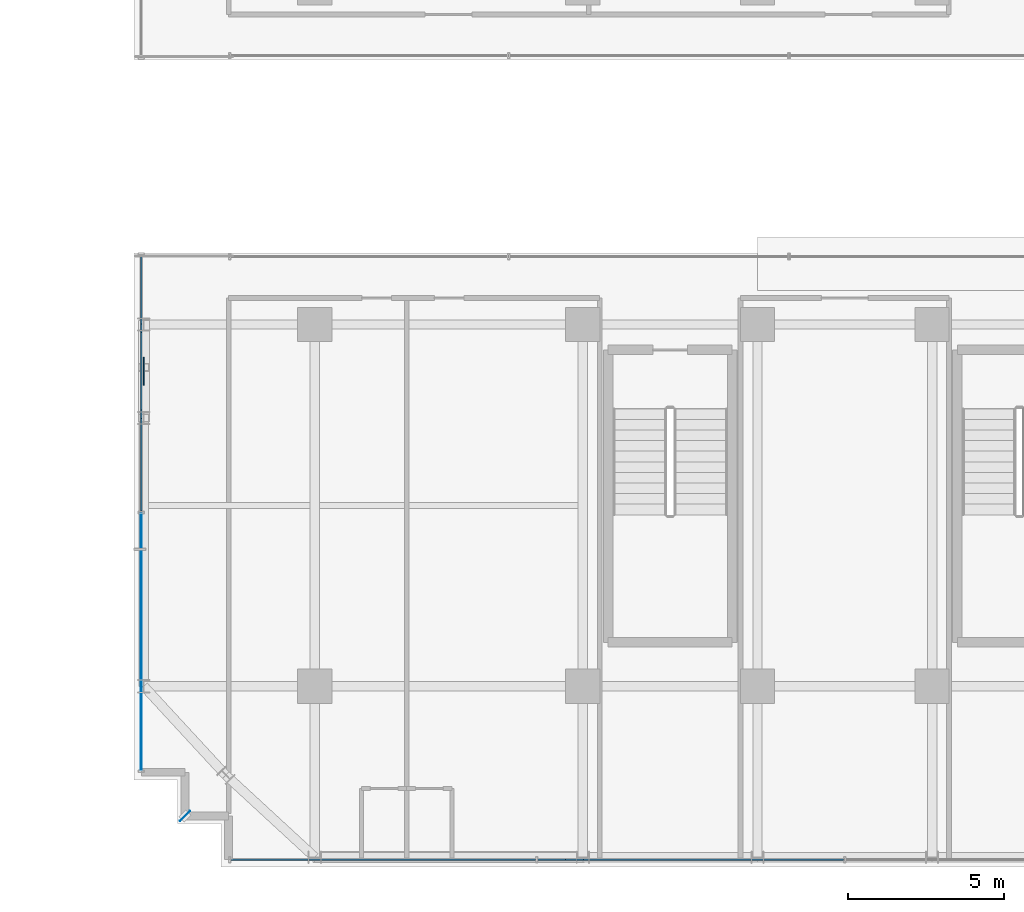
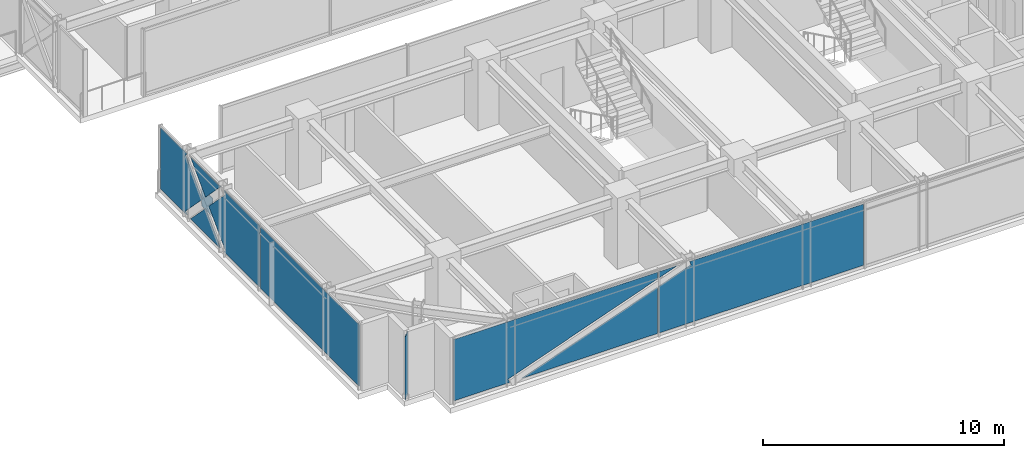
# One storey, part 30 of 43: 6 plates, 2 elements without a shape of their own.
"""IFC4 building model written with IfcOpenShell, lengths in metres."""

from ifc_helpers import new_model, si_unit, direction, frame, origin, origin_2d, place, context, subcontext, project, spatial, polyline, rectangle, outline, extrude, source, transform, mapped, material, layer, layer_set, type_object, element, aggregate, save


model = new_model("IFC4")

# Units and contexts
model_context = context("Model", 3, precision=1e-05, world=origin(), true_north=direction((0.0, 1.0)))
body_context = subcontext(model_context, "Body", "Model", "MODEL_VIEW")
ifc_project = project(units=[si_unit("LENGTHUNIT", "METRE"), si_unit("AREAUNIT", "SQUARE_METRE"), si_unit("VOLUMEUNIT", "CUBIC_METRE"), si_unit("PLANEANGLEUNIT", "RADIAN"), si_unit("MASSUNIT", "GRAM", prefix="KILO")], contexts=[model_context])

# Site, building, storey
site_placement = place(None, origin())
site = spatial("IfcSite", under=ifc_project, at=site_placement, CompositionType="ELEMENT")
building_placement = place(site_placement, origin())
building = spatial("IfcBuilding", under=site, at=building_placement, Name="Nahalor Promenade Grand Hotel", CompositionType="ELEMENT")
storey_placement = place(building_placement, frame((0.0, 0.0, 181.85009765625)))
storey = spatial("IfcBuildingStorey", under=building, at=storey_placement, Name="L46", CompositionType="ELEMENT", Elevation=181.85009765625)

# Curtain wall, plates
ifc_material_1 = material(Name="Anodised Bronze Aluminium EN AW-6063 T6", Category="aluminium")
curtain_wall_type = type_object("IfcCurtainWallType", Name="CW3 Elliptical-Void Collar Unitised Curtain Wall", PredefinedType="USERDEFINED", material=ifc_material_1)
curtain_wall_1_placement = place(storey_placement, origin())
curtain_wall_1 = element("IfcCurtainWall", 1, at=curtain_wall_1_placement, inside=storey, type_object=curtain_wall_type, Name="L46 Curtain Wall CW-L46-S-1", ObjectType="UNITISED_CURTAIN_WALL", PredefinedType="USERDEFINED")
ifc_material_2 = material(Name="Low-E Laminated Solar Glass", Category="glass")
ifc_layer_1 = layer(ifc_material_2, 0.030029296875)
ifc_layer_set_1 = layer_set([ifc_layer_1], Name="Low-E Laminated Solar Glass")
plate_type_1 = type_object("IfcPlateType", Name="CWP3 High-Wind Laminated Bronze IGU 30mm", PredefinedType="CURTAIN_PANEL", material=ifc_layer_set_1)
plate_1_placement = place(storey_placement, frame((-14.802490234375, -22.56005859375, 0.1396484375), z_axis=(0.0, 0.0, 1.0), x_axis=(1.0, 0.0, 0.0)))
plate_1 = element("IfcPlate", 2, at=plate_1_placement, type_object=plate_type_1, Name="CW-L46-S-1 Glazing Panel 0-0", PredefinedType="CURTAIN_PANEL", context=body_context, shape_type="SweptSolid", body=[
    extrude(outline(polyline([(-4.887451171875, 3.110107421875), (-4.887451171875, 0.0), (-2.220458984375, 0.0), (-2.28857421875, 0.189697265625), (4.887451171875, 2.76806640625), (4.887451171875, 3.110107421875), (-4.887451171875, 3.110107421875)])), frame((0.0, 0.01513671875, 0.0), z_axis=(0.0, -1.0, 0.0), x_axis=(1.0, 0.0, 0.0)), (0.0, 0.0, 1.0), 0.030029296875),
    extrude(outline(polyline([(-1.6337890625, 0.0), (4.887451171875, 0.0), (4.887451171875, 2.343017578125), (-1.6337890625, 0.0)])), frame((0.0, 0.01513671875, 0.0), z_axis=(0.0, -1.0, 0.0), x_axis=(1.0, 0.0, 0.0)), (0.0, 0.0, 1.0), 0.030029296875),
])
plate_2_placement = place(storey_placement, frame((-4.93994140625, -22.56005859375, 0.1396484375), z_axis=(0.0, 0.0, 1.0), x_axis=(1.0, 0.0, 0.0)))
plate_2 = element("IfcPlate", 3, at=plate_2_placement, type_object=plate_type_1, Name="CW-L46-S-1 Glazing Panel 1-0", PredefinedType="CURTAIN_PANEL", context=body_context, shape_type="SweptSolid", body=[
    extrude(outline(polyline([(4.905029296875, 0.0), (4.905029296875, 3.110107421875), (-3.43701171875, 3.110107421875), (-3.368896484375, 2.920166015625), (-4.905029296875, 2.368408203125), (-4.905029296875, 0.0), (4.905029296875, 0.0)])), frame((0.0, 0.01513671875, 0.0), z_axis=(0.0, -1.0, 0.0), x_axis=(1.0, 0.0, 0.0)), (0.0, 0.0, 1.0), 0.030029296875),
    extrude(outline(polyline([(-4.023681640625, 3.110107421875), (-4.905029296875, 3.110107421875), (-4.905029296875, 2.793212890625), (-4.023681640625, 3.110107421875)])), frame((0.0, 0.01513671875, 0.0), z_axis=(0.0, -1.0, 0.0), x_axis=(1.0, 0.0, 0.0)), (0.0, 0.0, 1.0), 0.030029296875),
])
aggregate(curtain_wall_1, [plate_1, plate_2])

# Curtain wall, plate
curtain_wall_2_placement = place(storey_placement, origin())
curtain_wall_2 = element("IfcCurtainWall", 4, at=curtain_wall_2_placement, inside=storey, type_object=curtain_wall_type, Name="L46 Curtain Wall CW-L46-W-1", ObjectType="UNITISED_CURTAIN_WALL", PredefinedType="USERDEFINED")
plate_3_placement = place(storey_placement, frame((-22.56005859375, -7.282470703125, 0.1396484375), z_axis=(0.0, 0.0, 1.0), x_axis=(0.0, 1.0, 0.0)))
plate_3 = element("IfcPlate", 5, at=plate_3_placement, type_object=plate_type_1, Name="CW-L46-W-1 Glazing Panel 1-0", PredefinedType="CURTAIN_PANEL", context=body_context, shape_type="SweptSolid", body=[
    extrude(outline(polyline([(-4.112548828125, 3.110107421875), (-4.112548828125, 0.0), (-1.14306640625, 0.0), (-1.2783203125, 0.13134765625), (0.103759765625, 1.554931640625), (-1.2783203125, 2.978515625), (-1.14306640625, 3.110107421875), (-4.112548828125, 3.110107421875)])), frame((0.0, 0.01513671875, 0.0), z_axis=(0.0, -1.0, 0.0), x_axis=(1.0, 0.0, 0.0)), (0.0, 0.0, 1.0), 0.030029296875),
    extrude(outline(polyline([(0.382568359375, 1.267822265625), (-0.848388671875, 0.0), (1.613525390625, 0.0), (0.382568359375, 1.267822265625)])), frame((0.0, 0.01513671875, 0.0), z_axis=(0.0, -1.0, 0.0), x_axis=(1.0, 0.0, 0.0)), (0.0, 0.0, 1.0), 0.030029296875),
    extrude(outline(polyline([(0.382568359375, 1.842041015625), (1.613525390625, 3.110107421875), (-0.848388671875, 3.110107421875), (0.382568359375, 1.842041015625)])), frame((0.0, 0.01513671875, 0.0), z_axis=(0.0, -1.0, 0.0), x_axis=(1.0, 0.0, 0.0)), (0.0, 0.0, 1.0), 0.030029296875),
    extrude(outline(polyline([(4.112548828125, 0.0), (4.112548828125, 3.110107421875), (1.908203125, 3.110107421875), (2.04345703125, 2.978515625), (0.661376953125, 1.554931640625), (2.04345703125, 0.13134765625), (1.908203125, 0.0), (4.112548828125, 0.0)])), frame((0.0, 0.01513671875, 0.0), z_axis=(0.0, -1.0, 0.0), x_axis=(1.0, 0.0, 0.0)), (0.0, 0.0, 1.0), 0.030029296875),
])

# Plates
ifc_material_3 = material(Name="Steel S355J2", Category="steel")
ifc_layer_2 = layer(ifc_material_3, 0.035888671875)
ifc_layer_set_2 = layer_set([ifc_layer_2], Name="Steel S355J2")
plate_type_2 = type_object("IfcPlateType", Name="Plate-CrossGusset-36", PredefinedType="USERDEFINED", material=ifc_layer_set_2)
shared_shape_1 = source(origin(), body_context, "Body", "SweptSolid", [
    extrude(rectangle(XDim=0.89990234375, YDim=0.035888671875, at=origin_2d()), origin(), (0.0, 0.0, 1.0), 0.89990234375),
])
plate_4_placement = place(storey_placement, frame((-22.47998046875, -6.89990234375, 1.244873046875), z_axis=(0.0, 0.0, 1.0), x_axis=(0.0, 1.0, 0.0)))
element("IfcPlate", 6, at=plate_4_placement, inside=storey, type_object=plate_type_2, Name="PL-L46-VXX-W0", ObjectType="GUSSET_PLATE", PredefinedType="USERDEFINED", context=body_context, shape_type="MappedRepresentation", body=[
    mapped(shared_shape_1, transform((0.0, 0.0, 0.0), scale=1.0)),
])
ifc_layer_3 = layer(ifc_material_1, 0.02001953125)
ifc_layer_set_3 = layer_set([ifc_layer_3], Name="Anodised Bronze Aluminium EN AW-6063 T6")
plate_type_3 = type_object("IfcPlateType", Name="Plate-CornerFin-20", PredefinedType="SHEET", material=ifc_layer_set_3)
shared_shape_2 = source(origin(), body_context, "Body", "SweptSolid", [
    extrude(rectangle(XDim=0.449951171875, YDim=0.02001953125, at=origin_2d()), origin(), (0.0, 0.0, 1.0), 3.199951171875),
])
plate_5_placement = place(storey_placement, frame((-21.159912109375, -21.159912109375, 0.0), z_axis=(0.0, 0.0, 1.0), x_axis=(0.707106781187, 0.707106781187, 0.0)))
element("IfcPlate", 7, at=plate_5_placement, inside=storey, type_object=plate_type_3, Name="FIN-L46-SW", PredefinedType="SHEET", context=body_context, shape_type="MappedRepresentation", body=[
    mapped(shared_shape_2, transform((0.0, 0.0, 0.0), scale=1.0)),
])

# Plate
shared_shape_3 = source(origin(), body_context, "Body", "SweptSolid", [
    extrude(rectangle(XDim=8.22509765625, YDim=0.030029296875, at=origin_2d()), origin(), (0.0, 0.0, 1.0), 3.110107421875),
])
plate_6_placement = place(storey_placement, frame((-22.56005859375, -15.577392578125, 0.1396484375), z_axis=(0.0, 0.0, 1.0), x_axis=(0.0, 1.0, 0.0)))
plate_6 = element("IfcPlate", 8, at=plate_6_placement, type_object=plate_type_1, Name="CW-L46-W-1 Glazing Panel 0-0", PredefinedType="CURTAIN_PANEL", context=body_context, shape_type="MappedRepresentation", body=[
    mapped(shared_shape_3, transform((0.0, 0.0, 0.0), scale=1.0)),
])

aggregate(curtain_wall_2, [plate_6, plate_3])

save(model, "model.ifc")
